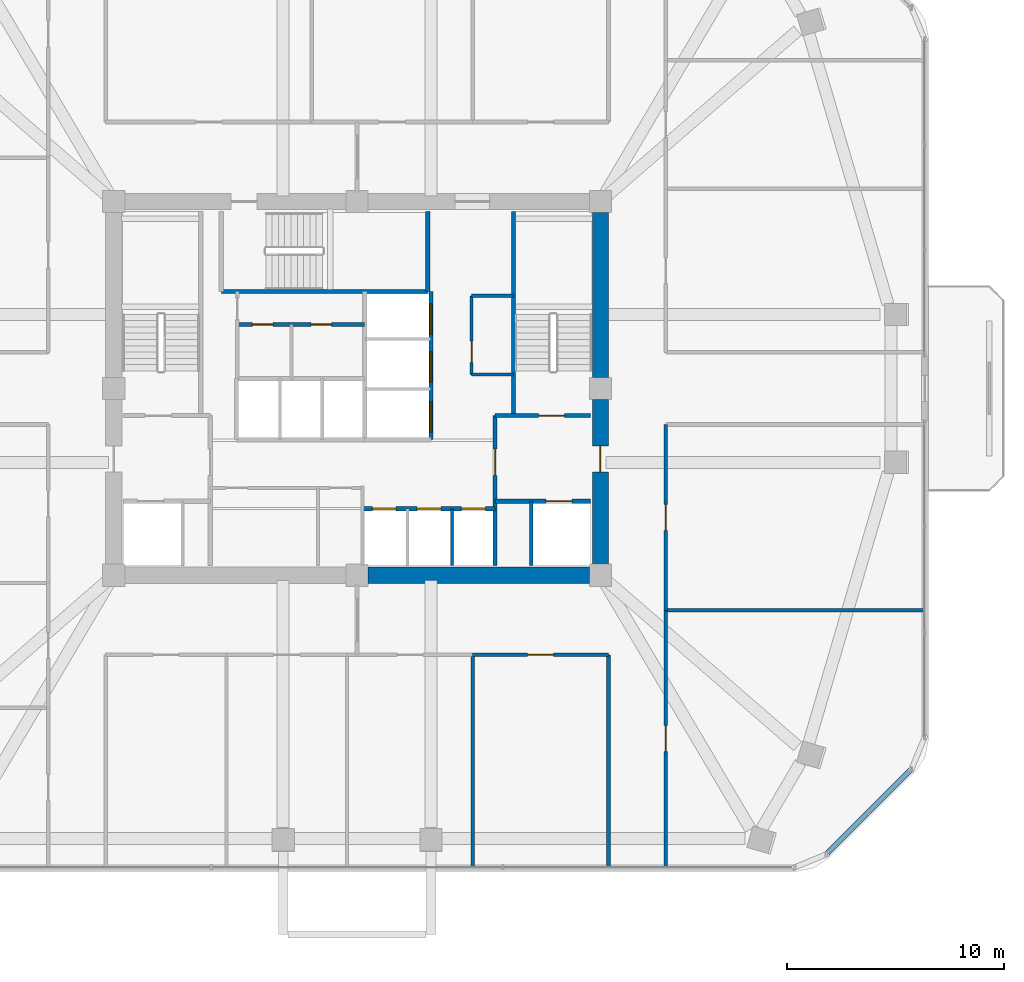
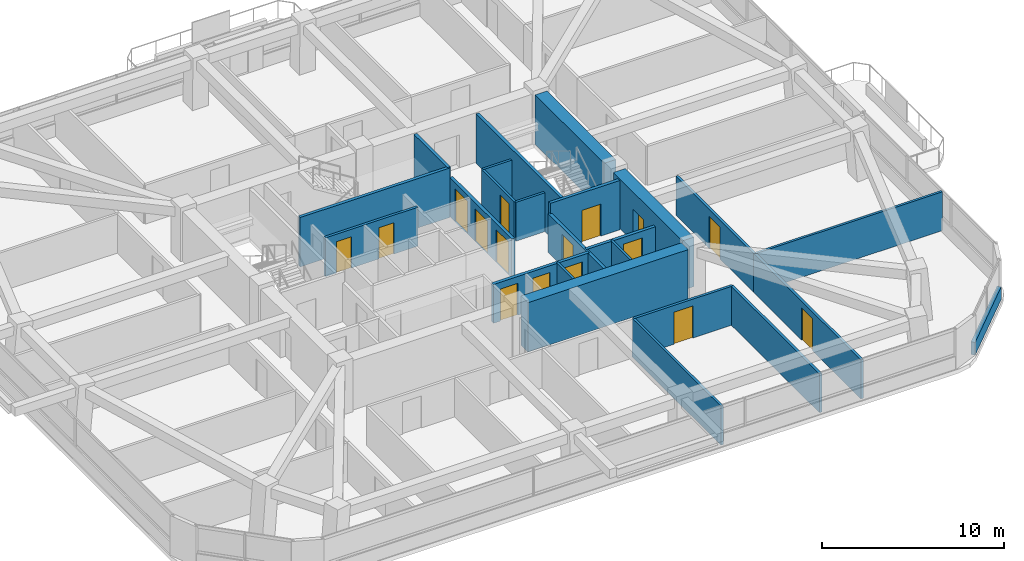
# One storey, part 10 of 14: 24 walls, 16 doors, 16 openings.
"""IFC4 building model written with IfcOpenShell, lengths in metres."""

from ifc_helpers import new_model, si_unit, derived_unit, direction, frame, frame_2d, origin, place, context, subcontext, project, spatial, rectangle, extrude, material, layer, layer_set, type_object, element, fill, save


model = new_model("IFC4")

# Units and contexts
model_context = context("Model", 3, precision=1e-05, world=origin(), true_north=direction((0.0, 1.0)))
body_context = subcontext(model_context, "Body", "Model", "MODEL_VIEW")
ifc_project = project(units=[si_unit("LENGTHUNIT", "METRE"), si_unit("AREAUNIT", "SQUARE_METRE"), si_unit("VOLUMEUNIT", "CUBIC_METRE"), si_unit("PLANEANGLEUNIT", "RADIAN"), si_unit("MASSUNIT", "GRAM", prefix="KILO"), derived_unit("THERMALTRANSMITTANCEUNIT", [(si_unit("POWERUNIT", "WATT"), 1), (si_unit("LENGTHUNIT", "METRE"), -2), (si_unit("THERMODYNAMICTEMPERATUREUNIT", "KELVIN"), -1)])], contexts=[model_context])

# Site, building, storey
site_placement = place(None, origin())
site = spatial("IfcSite", under=ifc_project, at=site_placement, CompositionType="ELEMENT")
building_placement = place(site_placement, origin())
building = spatial("IfcBuilding", under=site, at=building_placement, Name="Koralith Skygarden Medical Center", CompositionType="ELEMENT")
storey_placement = place(building_placement, frame((0.0, 0.0, 95.580078125)))
storey = spatial("IfcBuildingStorey", under=building, at=storey_placement, Name="L24", CompositionType="ELEMENT", Elevation=95.580078125)

# Wall, opening, door
ifc_material_1 = material(Name="Gypsum Board Partition")
ifc_layer_1 = layer(ifc_material_1, 0.14990234375)
ifc_layer_set_1 = layer_set([ifc_layer_1], Name="Gypsum Board Partition")
wall_type_1 = type_object("IfcWallType", Name="Clinical Acoustic Partition 150", PredefinedType="PARTITIONING", material=ifc_layer_set_1)
wall_1_placement = place(storey_placement, frame((42.27001953125, 26.5400390625, 0.0), z_axis=(0.0, 0.0, 1.0), x_axis=(0.0, 1.0, 0.0)))
wall_1 = element("IfcWall", 1, at=wall_1_placement, inside=storey, type_object=wall_type_1, Name="L24 Clinical Acoustic Partition 150 W-CORE-L24-ESUB-W", PredefinedType="PARTITIONING", context=body_context, shape_type="SweptSolid", body=[
    extrude(rectangle(XDim=3.619873046875, YDim=0.14990234375, at=frame_2d((1.81005859375, 0.0))), origin(), (0.0, 0.0, 1.0), 2.60986328125),
])
opening_1_placement = place(wall_1_placement, frame((0.550048828125, 0.0, 0.0)))
opening_1 = element("IfcOpeningElement", 2, at=opening_1_placement, cuts=wall_1, Name="Opening D-SUP", PredefinedType="OPENING", context=body_context, shape_type="SweptSolid", body=[
    extrude(rectangle(XDim=1.0, YDim=2.14990234375, at=frame_2d((0.5, 1.074951171875))), frame((0.0, 0.0849609375, 0.0), z_axis=(0.0, -1.0, 0.0), x_axis=(1.0, 0.0, 0.0)), (0.0, 0.0, 1.0), 0.169921875),
])
ifc_material_2 = material(Name="Aluminium 6063-T6", Category="aluminium")
door_type_1 = type_object("IfcDoorType", Name="Clinical Support Door D-SUP 1000", OperationType="NOTDEFINED", PredefinedType="DOOR", material=ifc_material_2)
door_1_placement = place(opening_1_placement, origin())
door_1 = element("IfcDoor", 3, at=door_1_placement, inside=storey, type_object=door_type_1, Name="L24 Core Equipment Store Door", OperationType="SINGLE_SWING_LEFT", OverallHeight=2.14990234375, OverallWidth=1.0, PredefinedType="DOOR", context=body_context, shape_type="SweptSolid", body=[
    extrude(rectangle(XDim=1.0, YDim=2.14990234375, at=frame_2d((0.5, 1.074951171875))), frame((0.0, 0.02490234375, 0.0), z_axis=(0.0, -1.0, 0.0), x_axis=(1.0, 0.0, 0.0)), (0.0, 0.0, 1.0), 0.050048828125),
])
fill(opening_1, door_1)

# Walls
for number, where, z_axis, x_axis, name in (
    (4, (42.27001953125, 26.5400390625, 0.0), (0.0, 0.0, 1.0), (1.0, 0.0, 0.0), "L24 Clinical Acoustic Partition 150 W-CORE-L24-ESUB-S"),
    (5, (42.27001953125, 30.159912109375, 0.0), (0.0, 0.0, 1.0), (1.0, 0.0, 0.0), "L24 Clinical Acoustic Partition 150 W-CORE-L24-ESUB-N"),
):
    element("IfcWall", number, at=place(storey_placement, frame(where, z_axis=z_axis, x_axis=x_axis)), inside=storey, type_object=wall_type_1, Name=name, PredefinedType="PARTITIONING", context=body_context, shape_type="SweptSolid", body=[
        extrude(rectangle(XDim=1.929931640625, YDim=0.14990234375, at=frame_2d((0.96484375, 0.0))), origin(), (0.0, 0.0, 1.0), 2.60986328125),
    ])
wall_2_placement = place(storey_placement, frame((42.318115234375, 13.639892578125, 0.0), z_axis=(0.0, 0.0, 1.0), x_axis=(0.0, -1.0, 0.0)))
element("IfcWall", 6, at=wall_2_placement, inside=storey, type_object=wall_type_1, Name="L24 Clinical Acoustic Partition 150 W-PART-L24-S-03", PredefinedType="PARTITIONING", context=body_context, shape_type="SweptSolid", body=[
    extrude(rectangle(XDim=9.762939453125, YDim=0.14990234375, at=frame_2d((4.88134765625, 0.0))), origin(), (0.0, 0.0, 1.0), 2.60986328125),
])
wall_3_placement = place(storey_placement, frame((51.2099609375, 15.68798828125, 0.0), z_axis=(0.0, 0.0, 1.0), x_axis=(1.0, 0.0, 0.0)))
element("IfcWall", 7, at=wall_3_placement, inside=storey, type_object=wall_type_1, Name="L24 Clinical Acoustic Partition 150 W-PART-L24-ES-01", PredefinedType="PARTITIONING", context=body_context, shape_type="SweptSolid", body=[
    extrude(rectangle(XDim=11.885986328125, YDim=0.14990234375, at=frame_2d((5.94287109375, 0.0))), origin(), (0.0, 0.0, 1.0), 2.60986328125),
])
ifc_layer_2 = layer(ifc_material_1, 0.1650390625)
ifc_layer_set_2 = layer_set([ifc_layer_2], Name="Gypsum Board Partition")
wall_type_2 = type_object("IfcWallType", Name="Clinical Corridor Partition 165", PredefinedType="PARTITIONING", material=ifc_layer_set_2)
wall_4_placement = place(storey_placement, frame((48.570068359375, 3.876953125, 0.0), z_axis=(0.0, 0.0, 1.0), x_axis=(0.0, 1.0, 0.0)))
element("IfcWall", 8, at=wall_4_placement, inside=storey, type_object=wall_type_2, Name="L24 Clinical Corridor Partition 165 W-HCOR-L24-SE", PredefinedType="PARTITIONING", context=body_context, shape_type="SweptSolid", body=[
    extrude(rectangle(XDim=9.762939453125, YDim=0.1650390625, at=frame_2d((4.88134765625, 0.0))), origin(), (0.0, 0.0, 1.0), 2.60986328125),
])

# Wall, opening, door
wall_5_placement = place(storey_placement, frame((42.318115234375, 13.639892578125, 0.0), z_axis=(0.0, 0.0, 1.0), x_axis=(1.0, 0.0, 0.0)))
wall_5 = element("IfcWall", 9, at=wall_5_placement, inside=storey, type_object=wall_type_2, Name="L24 Clinical Corridor Partition 165 W-CORR-L24-S-04", PredefinedType="PARTITIONING", context=body_context, shape_type="SweptSolid", body=[
    extrude(rectangle(XDim=6.251953125, YDim=0.1650390625, at=frame_2d((3.1259765625, 0.0))), origin(), (0.0, 0.0, 1.0), 2.60986328125),
])
opening_2_placement = place(wall_5_placement, frame((2.52587890625, 0.0, 0.0)))
opening_2 = element("IfcOpeningElement", 10, at=opening_2_placement, cuts=wall_5, Name="Opening D-CLN", PredefinedType="OPENING", context=body_context, shape_type="SweptSolid", body=[
    extrude(rectangle(XDim=1.199951171875, YDim=2.14990234375, at=frame_2d((0.60009765625, 1.074951171875))), frame((0.0, 0.092529296875, 0.0), z_axis=(0.0, -1.0, 0.0), x_axis=(1.0, 0.0, 0.0)), (0.0, 0.0, 1.0), 0.18505859375),
])
door_type_2 = type_object("IfcDoorType", Name="Clinical Corridor Door D-CLN 1200", OperationType="NOTDEFINED", PredefinedType="DOOR", material=ifc_material_2)
door_2_placement = place(opening_2_placement, frame((1.199951171875, 0.0, 0.0), z_axis=(0.0, 0.0, 1.0), x_axis=(-1.0, 0.0, 0.0)))
door_2 = element("IfcDoor", 11, at=door_2_placement, inside=storey, type_object=door_type_2, Name="L24 Orthopaedic Splint Supply Store 07 Door", OperationType="SINGLE_SWING_RIGHT", OverallHeight=2.14990234375, OverallWidth=1.199951171875, PredefinedType="DOOR", context=body_context, shape_type="SweptSolid", body=[
    extrude(rectangle(XDim=1.199951171875, YDim=2.14990234375, at=frame_2d((0.60009765625, 1.074951171875))), frame((0.0, 0.02490234375, 0.0), z_axis=(0.0, -1.0, 0.0), x_axis=(1.0, 0.0, 0.0)), (0.0, 0.0, 1.0), 0.050048828125),
])
fill(opening_2, door_2)

wall_6_placement = place(storey_placement, frame((51.2099609375, 3.876953125, 0.0), z_axis=(0.0, 0.0, 1.0), x_axis=(0.0, 1.0, 0.0)))
wall_6 = element("IfcWall", 12, at=wall_6_placement, inside=storey, type_object=wall_type_2, Name="L24 Clinical Corridor Partition 165 W-CORR-L24-ES-01", PredefinedType="PARTITIONING", context=body_context, shape_type="SweptSolid", body=[
    extrude(rectangle(XDim=11.81103515625, YDim=0.1650390625, at=frame_2d((5.905517578125, 0.0))), origin(), (0.0, 0.0, 1.0), 2.60986328125),
])
opening_3_placement = place(wall_6_placement, frame((5.305908203125, 0.0, 0.0)))
opening_3 = element("IfcOpeningElement", 13, at=opening_3_placement, cuts=wall_6, Name="Opening D-CLN", PredefinedType="OPENING", context=body_context, shape_type="SweptSolid", body=[
    extrude(rectangle(XDim=1.199951171875, YDim=2.14990234375, at=frame_2d((0.60009765625, 1.074951171875))), frame((0.0, 0.092529296875, 0.0), z_axis=(0.0, -1.0, 0.0), x_axis=(1.0, 0.0, 0.0)), (0.0, 0.0, 1.0), 0.18505859375),
])
door_3_placement = place(opening_3_placement, origin())
door_3 = element("IfcDoor", 14, at=door_3_placement, inside=storey, type_object=door_type_2, Name="L24 Surgical Follow-Up Office 13 Door", OperationType="SINGLE_SWING_RIGHT", OverallHeight=2.14990234375, OverallWidth=1.199951171875, PredefinedType="DOOR", context=body_context, shape_type="SweptSolid", body=[
    extrude(rectangle(XDim=1.199951171875, YDim=2.14990234375, at=frame_2d((0.60009765625, 1.074951171875))), frame((0.0, 0.02490234375, 0.0), z_axis=(0.0, -1.0, 0.0), x_axis=(1.0, 0.0, 0.0)), (0.0, 0.0, 1.0), 0.050048828125),
])
fill(opening_3, door_3)

wall_7_placement = place(storey_placement, frame((51.2099609375, 15.68798828125, 0.0), z_axis=(0.0, 0.0, 1.0), x_axis=(0.0, 1.0, 0.0)))
wall_7 = element("IfcWall", 15, at=wall_7_placement, inside=storey, type_object=wall_type_2, Name="L24 Clinical Corridor Partition 165 W-CORR-L24-ES-02", PredefinedType="PARTITIONING", context=body_context, shape_type="SweptSolid", body=[
    extrude(rectangle(XDim=8.552001953125, YDim=0.1650390625, at=frame_2d((4.27587890625, 0.0))), origin(), (0.0, 0.0, 1.0), 2.60986328125),
])
opening_4_placement = place(wall_7_placement, frame((3.676025390625, 0.0, 0.0)))
opening_4 = element("IfcOpeningElement", 16, at=opening_4_placement, cuts=wall_7, Name="Opening D-CLN", PredefinedType="OPENING", context=body_context, shape_type="SweptSolid", body=[
    extrude(rectangle(XDim=1.199951171875, YDim=2.14990234375, at=frame_2d((0.60009765625, 1.074951171875))), frame((0.0, 0.092529296875, 0.0), z_axis=(0.0, -1.0, 0.0), x_axis=(1.0, 0.0, 0.0)), (0.0, 0.0, 1.0), 0.18505859375),
])
door_4_placement = place(opening_4_placement, origin())
door_4 = element("IfcDoor", 17, at=door_4_placement, inside=storey, type_object=door_type_2, Name="L24 Sterile Instrument Sub-Store 14 Door", OperationType="SINGLE_SWING_LEFT", OverallHeight=2.14990234375, OverallWidth=1.199951171875, PredefinedType="DOOR", context=body_context, shape_type="SweptSolid", body=[
    extrude(rectangle(XDim=1.199951171875, YDim=2.14990234375, at=frame_2d((0.60009765625, 1.074951171875))), frame((0.0, 0.02490234375, 0.0), z_axis=(0.0, -1.0, 0.0), x_axis=(1.0, 0.0, 0.0)), (0.0, 0.0, 1.0), 0.050048828125),
])
fill(opening_4, door_4)

ifc_layer_3 = layer(ifc_material_1, 0.199951171875)
ifc_layer_set_3 = layer_set([ifc_layer_3], Name="Gypsum Board Partition")
wall_type_3 = type_object("IfcWallType", Name="Fire Shaft Wall 200", PredefinedType="SOLIDWALL", material=ifc_layer_set_3)
wall_8_placement = place(storey_placement, frame((43.35009765625, 20.699951171875, 0.0), z_axis=(0.0, 0.0, 1.0), x_axis=(1.0, 0.0, 0.0)))
wall_8 = element("IfcWall", 18, at=wall_8_placement, inside=storey, type_object=wall_type_3, Name="L24 Fire Shaft Wall 200 W-CORE-L24-FF2-N", PredefinedType="SOLIDWALL", context=body_context, shape_type="SweptSolid", body=[
    extrude(rectangle(XDim=4.39990234375, YDim=0.199951171875, at=frame_2d((2.199951171875, 0.0))), origin(), (0.0, 0.0, 1.0), 2.60986328125),
])
opening_5_placement = place(wall_8_placement, frame((2.35009765625, 0.0, 0.0)))
opening_5 = element("IfcOpeningElement", 19, at=opening_5_placement, cuts=wall_8, Name="Opening LD-FF", PredefinedType="OPENING", context=body_context, shape_type="SweptSolid", body=[
    extrude(rectangle(XDim=1.199951171875, YDim=2.14990234375, at=frame_2d((0.60009765625, 1.074951171875))), frame((0.0, 0.10986328125, 0.0), z_axis=(0.0, -1.0, 0.0), x_axis=(1.0, 0.0, 0.0)), (0.0, 0.0, 1.0), 0.219970703125),
])
ifc_material_3 = material(Name="Steel ASTM A500 Grade C", Category="steel")
door_type_3 = type_object("IfcDoorType", Name="Fire Lift Sliding Landing Door LD-FF 1200", OperationType="NOTDEFINED", PredefinedType="DOOR", material=ifc_material_3)
door_5_placement = place(opening_5_placement, origin())
door_5 = element("IfcDoor", 20, at=door_5_placement, inside=storey, type_object=door_type_3, Name="L24 Fire Service Elevator FF2 Landing Door", OperationType="SLIDING_TO_RIGHT", OverallHeight=2.14990234375, OverallWidth=1.199951171875, PredefinedType="DOOR", context=body_context, shape_type="SweptSolid", body=[
    extrude(rectangle(XDim=1.199951171875, YDim=2.14990234375, at=frame_2d((0.60009765625, 1.074951171875))), frame((0.0, 0.02490234375, 0.0), z_axis=(0.0, -1.0, 0.0), x_axis=(1.0, 0.0, 0.0)), (0.0, 0.0, 1.0), 0.050048828125),
])
fill(opening_5, door_5)

wall_9_placement = place(storey_placement, frame((43.35009765625, 17.75, 0.0), z_axis=(0.0, 0.0, 1.0), x_axis=(0.0, 1.0, 0.0)))
wall_9 = element("IfcWall", 21, at=wall_9_placement, inside=storey, type_object=wall_type_3, Name="L24 Fire Shaft Wall 200 W-CORE-L24-FSAEE-W", PredefinedType="SOLIDWALL", context=body_context, shape_type="SweptSolid", body=[
    extrude(rectangle(XDim=6.89990234375, YDim=0.199951171875, at=frame_2d((3.449951171875, 0.0))), origin(), (0.0, 0.0, 1.0), 2.60986328125),
])
opening_6_placement = place(wall_9_placement, frame((4.14990234375, 0.0, 0.0)))
opening_6 = element("IfcOpeningElement", 22, at=opening_6_placement, cuts=wall_9, Name="Opening D-ST60", PredefinedType="OPENING", context=body_context, shape_type="SweptSolid", body=[
    extrude(rectangle(XDim=1.199951171875, YDim=2.14990234375, at=frame_2d((0.60009765625, 1.074951171875))), frame((0.0, 0.10986328125, 0.0), z_axis=(0.0, -1.0, 0.0), x_axis=(1.0, 0.0, 0.0)), (0.0, 0.0, 1.0), 0.219970703125),
])
door_type_4 = type_object("IfcDoorType", Name="Smokeproof Stair Fire Door FD60S 1200", OperationType="NOTDEFINED", PredefinedType="DOOR", material=ifc_material_3)
door_6_placement = place(opening_6_placement, frame((1.199951171875, 0.0, 0.0), z_axis=(0.0, 0.0, 1.0), x_axis=(-1.0, 0.0, 0.0)))
door_6 = element("IfcDoor", 23, at=door_6_placement, inside=storey, type_object=door_type_4, Name="L24 East Firefighting Lobby Inner Fire Door", OperationType="SINGLE_SWING_RIGHT", OverallHeight=2.14990234375, OverallWidth=1.199951171875, PredefinedType="DOOR", context=body_context, shape_type="SweptSolid", body=[
    extrude(rectangle(XDim=1.199951171875, YDim=2.14990234375, at=frame_2d((0.60009765625, 1.074951171875))), frame((0.0, 0.02490234375, 0.0), z_axis=(0.0, -1.0, 0.0), x_axis=(1.0, 0.0, 0.0)), (0.0, 0.0, 1.0), 0.050048828125),
])
fill(opening_6, door_6)

# Wall, openings, doors
wall_10_placement = place(storey_placement, frame((37.25, 20.360107421875, 0.0), z_axis=(0.0, 0.0, 1.0), x_axis=(1.0, 0.0, 0.0)))
wall_10 = element("IfcWall", 24, at=wall_10_placement, inside=storey, type_object=wall_type_3, Name="L24 Fire Shaft Wall 200 W-CORE-L24-PM-N", PredefinedType="SOLIDWALL", context=body_context, shape_type="SweptSolid", body=[
    extrude(rectangle(XDim=6.10009765625, YDim=0.199951171875, at=frame_2d((3.050048828125, 0.0))), origin(), (0.0, 0.0, 1.0), 2.60986328125),
])
opening_7_placement = place(wall_10_placement, frame((0.449951171875, 0.0, 0.0)))
opening_7 = element("IfcOpeningElement", 25, at=opening_7_placement, cuts=wall_10, Name="Opening LD-P", PredefinedType="OPENING", context=body_context, shape_type="SweptSolid", body=[
    extrude(rectangle(XDim=1.10009765625, YDim=2.14990234375, at=frame_2d((0.550048828125, 1.074951171875))), frame((0.0, 0.10986328125, 0.0), z_axis=(0.0, -1.0, 0.0), x_axis=(1.0, 0.0, 0.0)), (0.0, 0.0, 1.0), 0.219970703125),
])
opening_8_placement = place(wall_10_placement, frame((2.5, 0.0, 0.0)))
opening_8 = element("IfcOpeningElement", 26, at=opening_8_placement, cuts=wall_10, Name="Opening LD-P", PredefinedType="OPENING", context=body_context, shape_type="SweptSolid", body=[
    extrude(rectangle(XDim=1.10009765625, YDim=2.14990234375, at=frame_2d((0.550048828125, 1.074951171875))), frame((0.0, 0.10986328125, 0.0), z_axis=(0.0, -1.0, 0.0), x_axis=(1.0, 0.0, 0.0)), (0.0, 0.0, 1.0), 0.219970703125),
])
opening_9_placement = place(wall_10_placement, frame((4.550048828125, 0.0, 0.0)))
opening_9 = element("IfcOpeningElement", 27, at=opening_9_placement, cuts=wall_10, Name="Opening LD-P", PredefinedType="OPENING", context=body_context, shape_type="SweptSolid", body=[
    extrude(rectangle(XDim=1.10009765625, YDim=2.14990234375, at=frame_2d((0.550048828125, 1.074951171875))), frame((0.0, 0.10986328125, 0.0), z_axis=(0.0, -1.0, 0.0), x_axis=(1.0, 0.0, 0.0)), (0.0, 0.0, 1.0), 0.219970703125),
])
door_type_5 = type_object("IfcDoorType", Name="Passenger Lift Sliding Landing Door LD-P 1100", OperationType="NOTDEFINED", PredefinedType="DOOR", material=ifc_material_3)
door_7_placement = place(opening_7_placement, origin())
door_7 = element("IfcDoor", 28, at=door_7_placement, inside=storey, type_object=door_type_5, Name="L24 Passenger Elevator PM1 Landing Door", OperationType="SLIDING_TO_LEFT", OverallHeight=2.14990234375, OverallWidth=1.10009765625, PredefinedType="DOOR", context=body_context, shape_type="SweptSolid", body=[
    extrude(rectangle(XDim=1.10009765625, YDim=2.14990234375, at=frame_2d((0.550048828125, 1.074951171875))), frame((0.0, 0.02490234375, 0.0), z_axis=(0.0, -1.0, 0.0), x_axis=(1.0, 0.0, 0.0)), (0.0, 0.0, 1.0), 0.050048828125),
])
fill(opening_7, door_7)
door_8_placement = place(opening_8_placement, origin())
door_8 = element("IfcDoor", 29, at=door_8_placement, inside=storey, type_object=door_type_5, Name="L24 Passenger Elevator PM2 Landing Door", OperationType="SLIDING_TO_LEFT", OverallHeight=2.14990234375, OverallWidth=1.10009765625, PredefinedType="DOOR", context=body_context, shape_type="SweptSolid", body=[
    extrude(rectangle(XDim=1.10009765625, YDim=2.14990234375, at=frame_2d((0.550048828125, 1.074951171875))), frame((0.0, 0.02490234375, 0.0), z_axis=(0.0, -1.0, 0.0), x_axis=(1.0, 0.0, 0.0)), (0.0, 0.0, 1.0), 0.050048828125),
])
fill(opening_8, door_8)
door_9_placement = place(opening_9_placement, origin())
door_9 = element("IfcDoor", 30, at=door_9_placement, inside=storey, type_object=door_type_5, Name="L24 Passenger Elevator PM3 Landing Door", OperationType="SLIDING_TO_LEFT", OverallHeight=2.14990234375, OverallWidth=1.10009765625, PredefinedType="DOOR", context=body_context, shape_type="SweptSolid", body=[
    extrude(rectangle(XDim=1.10009765625, YDim=2.14990234375, at=frame_2d((0.550048828125, 1.074951171875))), frame((0.0, 0.02490234375, 0.0), z_axis=(0.0, -1.0, 0.0), x_axis=(1.0, 0.0, 0.0)), (0.0, 0.0, 1.0), 0.050048828125),
])
fill(opening_9, door_9)

wall_11_placement = place(storey_placement, frame((40.39990234375, 23.5400390625, 0.0), z_axis=(0.0, 0.0, 1.0), x_axis=(0.0, 1.0, 0.0)))
wall_11 = element("IfcWall", 31, at=wall_11_placement, inside=storey, type_object=wall_type_3, Name="L24 Fire Shaft Wall 200 W-CORE-L24-SV-E", PredefinedType="SOLIDWALL", context=body_context, shape_type="SweptSolid", body=[
    extrude(rectangle(XDim=6.820068359375, YDim=0.199951171875, at=frame_2d((3.41015625, 0.0))), origin(), (0.0, 0.0, 1.0), 2.60986328125),
])
opening_10_placement = place(wall_11_placement, frame((0.35009765625, 0.0, 0.0)))
opening_10 = element("IfcOpeningElement", 32, at=opening_10_placement, cuts=wall_11, Name="Opening LD-SV", PredefinedType="OPENING", context=body_context, shape_type="SweptSolid", body=[
    extrude(rectangle(XDim=1.39990234375, YDim=2.199951171875, at=frame_2d((0.699951171875, 1.10009765625))), frame((0.0, 0.10986328125, 0.0), z_axis=(0.0, -1.0, 0.0), x_axis=(1.0, 0.0, 0.0)), (0.0, 0.0, 1.0), 0.219970703125),
])
opening_11_placement = place(wall_11_placement, frame((2.64990234375, 0.0, 0.0)))
opening_11 = element("IfcOpeningElement", 33, at=opening_11_placement, cuts=wall_11, Name="Opening LD-SV", PredefinedType="OPENING", context=body_context, shape_type="SweptSolid", body=[
    extrude(rectangle(XDim=1.39990234375, YDim=2.199951171875, at=frame_2d((0.699951171875, 1.10009765625))), frame((0.0, 0.10986328125, 0.0), z_axis=(0.0, -1.0, 0.0), x_axis=(1.0, 0.0, 0.0)), (0.0, 0.0, 1.0), 0.219970703125),
])
opening_12_placement = place(wall_11_placement, frame((4.85009765625, 0.0, 0.0)))
opening_12 = element("IfcOpeningElement", 34, at=opening_12_placement, cuts=wall_11, Name="Opening LD-SV", PredefinedType="OPENING", context=body_context, shape_type="SweptSolid", body=[
    extrude(rectangle(XDim=1.39990234375, YDim=2.199951171875, at=frame_2d((0.699951171875, 1.10009765625))), frame((0.0, 0.10986328125, 0.0), z_axis=(0.0, -1.0, 0.0), x_axis=(1.0, 0.0, 0.0)), (0.0, 0.0, 1.0), 0.219970703125),
])
door_type_6 = type_object("IfcDoorType", Name="Bed Lift Sliding Landing Door LD-SV 1400", OperationType="NOTDEFINED", PredefinedType="DOOR", material=ifc_material_3)
door_10_placement = place(opening_10_placement, origin())
door_10 = element("IfcDoor", 35, at=door_10_placement, inside=storey, type_object=door_type_6, Name="L24 Bed Elevator BD1 Landing Door", OperationType="SLIDING_TO_LEFT", OverallHeight=2.199951171875, OverallWidth=1.39990234375, PredefinedType="DOOR", context=body_context, shape_type="SweptSolid", body=[
    extrude(rectangle(XDim=1.39990234375, YDim=2.199951171875, at=frame_2d((0.699951171875, 1.10009765625))), frame((0.0, 0.02490234375, 0.0), z_axis=(0.0, -1.0, 0.0), x_axis=(1.0, 0.0, 0.0)), (0.0, 0.0, 1.0), 0.050048828125),
])
fill(opening_10, door_10)
door_11_placement = place(opening_11_placement, origin())
door_11 = element("IfcDoor", 36, at=door_11_placement, inside=storey, type_object=door_type_6, Name="L24 Service Elevator BD2 Landing Door", OperationType="SLIDING_TO_LEFT", OverallHeight=2.199951171875, OverallWidth=1.39990234375, PredefinedType="DOOR", context=body_context, shape_type="SweptSolid", body=[
    extrude(rectangle(XDim=1.39990234375, YDim=2.199951171875, at=frame_2d((0.699951171875, 1.10009765625))), frame((0.0, 0.02490234375, 0.0), z_axis=(0.0, -1.0, 0.0), x_axis=(1.0, 0.0, 0.0)), (0.0, 0.0, 1.0), 0.050048828125),
])
fill(opening_11, door_11)
door_12_placement = place(opening_12_placement, origin())
door_12 = element("IfcDoor", 37, at=door_12_placement, inside=storey, type_object=door_type_6, Name="L24 Trauma Elevator TR1 Landing Door", OperationType="SLIDING_TO_RIGHT", OverallHeight=2.199951171875, OverallWidth=1.39990234375, PredefinedType="DOOR", context=body_context, shape_type="SweptSolid", body=[
    extrude(rectangle(XDim=1.39990234375, YDim=2.199951171875, at=frame_2d((0.699951171875, 1.10009765625))), frame((0.0, 0.02490234375, 0.0), z_axis=(0.0, -1.0, 0.0), x_axis=(1.0, 0.0, 0.0)), (0.0, 0.0, 1.0), 0.050048828125),
])
fill(opening_12, door_12)

# Walls
ifc_material_4 = material(Name="Warm Oolitic Limestone Cladding", Category="masonry")
ifc_layer_4 = layer(ifc_material_4, 0.239990234375)
ifc_layer_set_4 = layer_set([ifc_layer_4], Name="Warm Oolitic Limestone Cladding")
wall_type_4 = type_object("IfcWallType", Name="Limestone Spandrel Sill Backup Wall 240", PredefinedType="SOLIDWALL", material=ifc_layer_set_4)
wall_12_placement = place(storey_placement, frame((58.591064453125, 4.4580078125, 0.0), z_axis=(0.0, 0.0, 1.0), x_axis=(0.707084777957, 0.707128783731, 0.0)))
element("IfcWall", 38, at=wall_12_placement, inside=storey, type_object=wall_type_4, Name="L24 Sill Spandrel SE", PredefinedType="SOLIDWALL", context=body_context, shape_type="SweptSolid", body=[
    extrude(rectangle(XDim=5.5478515625, YDim=0.239990234375, at=frame_2d((2.77392578125, 0.0))), origin(), (0.0, 0.0, 1.0), 0.849853515625),
])
ifc_material_5 = material(Name="Concrete C70/85", Category="concrete")
ifc_layer_5 = layer(ifc_material_5, 0.75)
ifc_layer_set_5 = layer_set([ifc_layer_5], Name="Concrete C70/85")
wall_type_5 = type_object("IfcWallType", Name="Mid Core Shear Wall 750", PredefinedType="SHEAR", material=ifc_layer_set_5)
wall_13_placement = place(storey_placement, frame((37.5048828125, 17.300048828125, 0.0), z_axis=(0.0, 0.0, 1.0), x_axis=(1.0, 0.0, 0.0)))
element("IfcWall", 39, at=wall_13_placement, inside=storey, type_object=wall_type_5, Name="L24 Core Shear Wall Segment 2", PredefinedType="SHEAR", context=body_context, shape_type="SweptSolid", body=[
    extrude(rectangle(XDim=10.190185546875, YDim=0.75, at=frame_2d((5.09521484375, 0.0))), origin(), (0.0, 0.0, 1.0), 3.31982421875),
])

# Wall, opening, door
wall_14_placement = place(storey_placement, frame((48.199951171875, 17.804931640625, 0.0), z_axis=(0.0, 0.0, 1.0), x_axis=(0.0, 1.0, 0.0)))
wall_14 = element("IfcWall", 40, at=wall_14_placement, inside=storey, type_object=wall_type_5, Name="L24 Core Shear Wall Segment 3", PredefinedType="SHEAR", context=body_context, shape_type="SweptSolid", body=[
    extrude(rectangle(XDim=7.590087890625, YDim=0.75, at=frame_2d((3.794921875, 0.0))), origin(), (0.0, 0.0, 1.0), 3.31982421875),
])
opening_13_placement = place(wall_14_placement, frame((4.2451171875, 0.0, 0.0)))
opening_13 = element("IfcOpeningElement", 41, at=opening_13_placement, cuts=wall_14, Name="Opening D-ST60", PredefinedType="OPENING", context=body_context, shape_type="SweptSolid", body=[
    extrude(rectangle(XDim=1.199951171875, YDim=2.14990234375, at=frame_2d((0.60009765625, 1.074951171875))), frame((0.0, 0.385009765625, 0.0), z_axis=(0.0, -1.0, 0.0), x_axis=(1.0, 0.0, 0.0)), (0.0, 0.0, 1.0), 0.77001953125),
])
door_13_placement = place(opening_13_placement, frame((1.199951171875, 0.0, 0.0), z_axis=(0.0, 0.0, 1.0), x_axis=(-1.0, 0.0, 0.0)))
door_13 = element("IfcDoor", 42, at=door_13_placement, inside=storey, type_object=door_type_4, Name="L24 East Corridor to Firefighting Lobby Door", OperationType="SINGLE_SWING_RIGHT", OverallHeight=2.14990234375, OverallWidth=1.199951171875, PredefinedType="DOOR", context=body_context, shape_type="SweptSolid", body=[
    extrude(rectangle(XDim=1.199951171875, YDim=2.14990234375, at=frame_2d((0.60009765625, 1.074951171875))), frame((0.0, 0.02490234375, 0.0), z_axis=(0.0, -1.0, 0.0), x_axis=(1.0, 0.0, 0.0)), (0.0, 0.0, 1.0), 0.050048828125),
])
fill(opening_13, door_13)

# Wall
wall_15_placement = place(storey_placement, frame((48.199951171875, 26.405029296875, 0.0), z_axis=(0.0, 0.0, 1.0), x_axis=(0.0, 1.0, 0.0)))
element("IfcWall", 43, at=wall_15_placement, inside=storey, type_object=wall_type_5, Name="L24 Core Shear Wall Segment 4", PredefinedType="SHEAR", context=body_context, shape_type="SweptSolid", body=[
    extrude(rectangle(XDim=7.590087890625, YDim=0.75, at=frame_2d((3.794921875, 0.0))), origin(), (0.0, 0.0, 1.0), 3.31982421875),
])

# Wall, openings, doors
ifc_layer_6 = layer(ifc_material_1, 0.1650390625)
ifc_layer_set_6 = layer_set([ifc_layer_6], Name="Gypsum Board Partition")
wall_type_6 = type_object("IfcWallType", Name="Plumbing Wet Wall 165", PredefinedType="PLUMBINGWALL", material=ifc_layer_set_6)
wall_16_placement = place(storey_placement, frame((31.47998046875, 28.840087890625, 0.0), z_axis=(0.0, 0.0, 1.0), x_axis=(1.0, 0.0, 0.0)))
wall_16 = element("IfcWall", 44, at=wall_16_placement, inside=storey, type_object=wall_type_6, Name="L24 Plumbing Wet Wall 165 W-CORE-L24-FLEX-H3", PredefinedType="PLUMBINGWALL", context=body_context, shape_type="SweptSolid", body=[
    extrude(rectangle(XDim=5.8701171875, YDim=0.1650390625, at=frame_2d((2.93505859375, 0.0))), origin(), (0.0, 0.0, 1.0), 2.60986328125),
])
opening_14_placement = place(wall_16_placement, frame((0.699951171875, 0.0, 0.0)))
opening_14 = element("IfcOpeningElement", 45, at=opening_14_placement, cuts=wall_16, Name="Opening D-WC", PredefinedType="OPENING", context=body_context, shape_type="SweptSolid", body=[
    extrude(rectangle(XDim=0.949951171875, YDim=2.10009765625, at=frame_2d((0.47509765625, 1.050048828125))), frame((0.0, 0.092529296875, 0.0), z_axis=(0.0, -1.0, 0.0), x_axis=(1.0, 0.0, 0.0)), (0.0, 0.0, 1.0), 0.18505859375),
])
opening_15_placement = place(wall_16_placement, frame((3.39990234375, 0.0, 0.0)))
opening_15 = element("IfcOpeningElement", 46, at=opening_15_placement, cuts=wall_16, Name="Opening D-WC", PredefinedType="OPENING", context=body_context, shape_type="SweptSolid", body=[
    extrude(rectangle(XDim=0.949951171875, YDim=2.10009765625, at=frame_2d((0.47509765625, 1.050048828125))), frame((0.0, 0.092529296875, 0.0), z_axis=(0.0, -1.0, 0.0), x_axis=(1.0, 0.0, 0.0)), (0.0, 0.0, 1.0), 0.18505859375),
])
door_type_7 = type_object("IfcDoorType", Name="Accessible Toilet Door D-WC 950", OperationType="NOTDEFINED", PredefinedType="DOOR", material=ifc_material_2)
door_14_placement = place(opening_14_placement, frame((0.949951171875, 0.0, 0.0), z_axis=(0.0, 0.0, 1.0), x_axis=(-1.0, 0.0, 0.0)))
door_14 = element("IfcDoor", 47, at=door_14_placement, inside=storey, type_object=door_type_7, Name="L24 Core Accessible WC Door", OperationType="SINGLE_SWING_LEFT", OverallHeight=2.10009765625, OverallWidth=0.949951171875, PredefinedType="DOOR", context=body_context, shape_type="SweptSolid", body=[
    extrude(rectangle(XDim=0.949951171875, YDim=2.10009765625, at=frame_2d((0.47509765625, 1.050048828125))), frame((0.0, 0.02490234375, 0.0), z_axis=(0.0, -1.0, 0.0), x_axis=(1.0, 0.0, 0.0)), (0.0, 0.0, 1.0), 0.050048828125),
])
fill(opening_14, door_14)
door_15_placement = place(opening_15_placement, frame((0.949951171875, 0.0, 0.0), z_axis=(0.0, 0.0, 1.0), x_axis=(-1.0, 0.0, 0.0)))
door_15 = element("IfcDoor", 48, at=door_15_placement, inside=storey, type_object=door_type_7, Name="L24 Housekeeping Store Door", OperationType="SINGLE_SWING_RIGHT", OverallHeight=2.10009765625, OverallWidth=0.949951171875, PredefinedType="DOOR", context=body_context, shape_type="SweptSolid", body=[
    extrude(rectangle(XDim=0.949951171875, YDim=2.10009765625, at=frame_2d((0.47509765625, 1.050048828125))), frame((0.0, 0.02490234375, 0.0), z_axis=(0.0, -1.0, 0.0), x_axis=(1.0, 0.0, 0.0)), (0.0, 0.0, 1.0), 0.050048828125),
])
fill(opening_15, door_15)

# Walls
ifc_layer_7 = layer(ifc_material_1, 0.14990234375)
ifc_layer_set_7 = layer_set([ifc_layer_7], Name="Gypsum Board Partition")
wall_type_7 = type_object("IfcWallType", Name="Shaft Partition Wall 150", PredefinedType="PARTITIONING", material=ifc_layer_set_7)
wall_17_placement = place(storey_placement, frame((45.02001953125, 17.75, 0.0), z_axis=(0.0, 0.0, 1.0), x_axis=(0.0, 1.0, 0.0)))
element("IfcWall", 49, at=wall_17_placement, inside=storey, type_object=wall_type_7, Name="L24 Shaft Partition Wall 150 W-CORE-L24-RSRE-DIV", PredefinedType="PARTITIONING", context=body_context, shape_type="SweptSolid", body=[
    extrude(rectangle(XDim=2.949951171875, YDim=0.14990234375, at=frame_2d((1.47509765625, 0.0))), origin(), (0.0, 0.0, 1.0), 2.60986328125),
])
wall_18_placement = place(storey_placement, frame((41.3701171875, 17.75, 0.0), z_axis=(0.0, 0.0, 1.0), x_axis=(0.0, 1.0, 0.0)))
element("IfcWall", 50, at=wall_18_placement, inside=storey, type_object=wall_type_7, Name="L24 Shaft Partition Wall 150 W-CORE-L24-PM-D2", PredefinedType="PARTITIONING", context=body_context, shape_type="SweptSolid", body=[
    extrude(rectangle(XDim=2.610107421875, YDim=0.14990234375, at=frame_2d((1.30517578125, 0.0))), origin(), (0.0, 0.0, 1.0), 2.60986328125),
])
ifc_material_6 = material(Name="Concrete C45/55", Category="concrete")
ifc_layer_8 = layer(ifc_material_6, 0.199951171875)
ifc_layer_set_8 = layer_set([ifc_layer_8], Name="Concrete C45/55")
wall_type_8 = type_object("IfcWallType", Name="Structural Stair Shaft Wall 200", PredefinedType="SHEAR", material=ifc_layer_set_8)
wall_19_placement = place(storey_placement, frame((44.199951171875, 24.64990234375, 0.0), z_axis=(0.0, 0.0, 1.0), x_axis=(0.0, 1.0, 0.0)))
element("IfcWall", 51, at=wall_19_placement, inside=storey, type_object=wall_type_8, Name="L24 Structural Stair Shaft Wall 200 W-CORE-L24-ST2-W", PredefinedType="SHEAR", context=body_context, shape_type="SweptSolid", body=[
    extrude(rectangle(XDim=9.400146484375, YDim=0.199951171875, at=frame_2d((4.7001953125, 0.0))), origin(), (0.0, 0.0, 1.0), 3.31982421875),
])

# Wall, opening, door
wall_20_placement = place(storey_placement, frame((43.35009765625, 24.64990234375, 0.0), z_axis=(0.0, 0.0, 1.0), x_axis=(1.0, 0.0, 0.0)))
wall_20 = element("IfcWall", 52, at=wall_20_placement, inside=storey, type_object=wall_type_8, Name="L24 Structural Stair Shaft Wall 200 W-CORE-L24-ST2-S", PredefinedType="SHEAR", context=body_context, shape_type="SweptSolid", body=[
    extrude(rectangle(XDim=4.39990234375, YDim=0.199951171875, at=frame_2d((2.199951171875, 0.0))), origin(), (0.0, 0.0, 1.0), 3.31982421875),
])
opening_16_placement = place(wall_20_placement, frame((2.0, 0.0, 0.0)))
opening_16 = element("IfcOpeningElement", 53, at=opening_16_placement, cuts=wall_20, Name="Opening D-ST60", PredefinedType="OPENING", context=body_context, shape_type="SweptSolid", body=[
    extrude(rectangle(XDim=1.199951171875, YDim=2.14990234375, at=frame_2d((0.60009765625, 1.074951171875))), frame((0.0, 0.10986328125, 0.0), z_axis=(0.0, -1.0, 0.0), x_axis=(1.0, 0.0, 0.0)), (0.0, 0.0, 1.0), 0.219970703125),
])
door_16_placement = place(opening_16_placement, origin())
door_16 = element("IfcDoor", 54, at=door_16_placement, inside=storey, type_object=door_type_4, Name="L24 Exit Stair ST2 Fire Door", OperationType="SINGLE_SWING_RIGHT", OverallHeight=2.14990234375, OverallWidth=1.199951171875, PredefinedType="DOOR", context=body_context, shape_type="SweptSolid", body=[
    extrude(rectangle(XDim=1.199951171875, YDim=2.14990234375, at=frame_2d((0.60009765625, 1.074951171875))), frame((0.0, 0.02490234375, 0.0), z_axis=(0.0, -1.0, 0.0), x_axis=(1.0, 0.0, 0.0)), (0.0, 0.0, 1.0), 0.050048828125),
])
fill(opening_16, door_16)

# Walls
wall_21_placement = place(storey_placement, frame((30.75, 30.360107421875, 0.0), z_axis=(0.0, 0.0, 1.0), x_axis=(1.0, 0.0, 0.0)))
element("IfcWall", 55, at=wall_21_placement, inside=storey, type_object=wall_type_8, Name="L24 Structural Stair Shaft Wall 200 W-CORE-L24-ST3-S", PredefinedType="SHEAR", context=body_context, shape_type="SweptSolid", body=[
    extrude(rectangle(XDim=9.5, YDim=0.199951171875, at=frame_2d((4.75, 0.0))), origin(), (0.0, 0.0, 1.0), 3.31982421875),
])
wall_22_placement = place(storey_placement, frame((40.25, 30.360107421875, 0.0), z_axis=(0.0, 0.0, 1.0), x_axis=(0.0, 1.0, 0.0)))
element("IfcWall", 56, at=wall_22_placement, inside=storey, type_object=wall_type_8, Name="L24 Structural Stair Shaft Wall 200 W-CORE-L24-ST3-E", PredefinedType="SHEAR", context=body_context, shape_type="SweptSolid", body=[
    extrude(rectangle(XDim=3.68994140625, YDim=0.199951171875, at=frame_2d((1.844970703125, 0.0))), origin(), (0.0, 0.0, 1.0), 3.31982421875),
])

save(model, "model.ifc")
